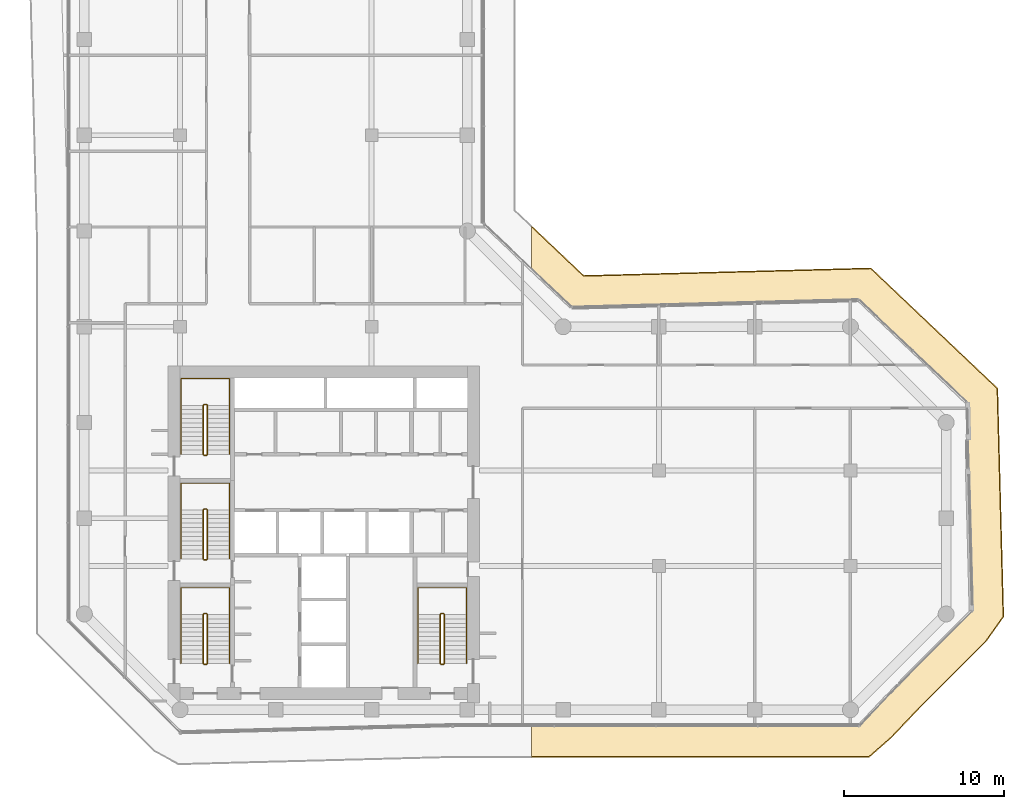
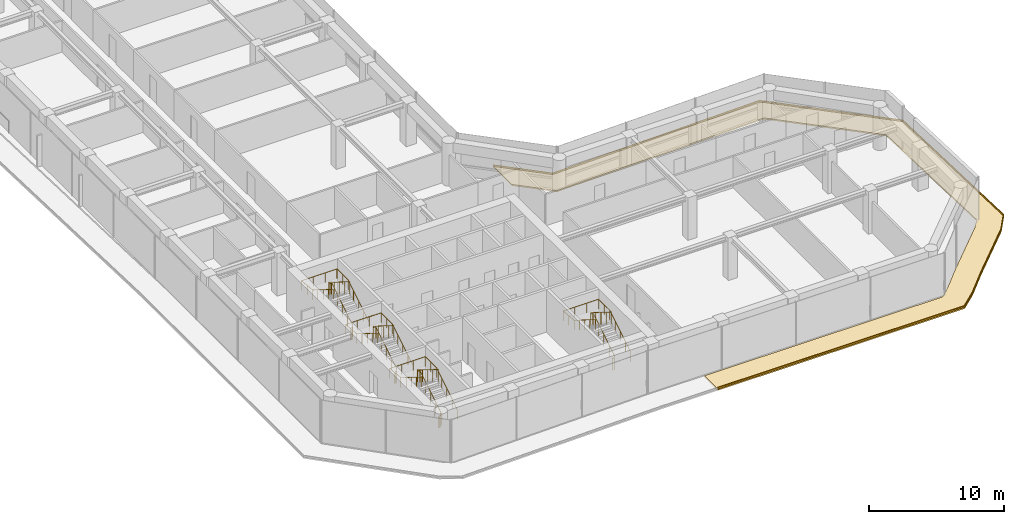
# One storey, part 22 of 23: 8 railings, 2 coverings.
"""IFC4 building model written with IfcOpenShell, lengths in metres."""

import ifcopenshell
import ifcopenshell.guid

model = None  # the IFC model being written
_history = None  # IfcOwnerHistory: only IFC2X3 demands one
_inside = {}  # id of a spatial element -> (the spatial element, [elements in it])
_under = {}  # id of a project, library or spatial element -> (it, [spatial elements below it])
_declared = {}  # id of a project -> (the project, [libraries it declares])
_typed = {}  # id of a type object -> (the type object, [elements of that type])
_made_of = {}  # id of a material, layer set ... -> (it, [elements and type objects made of it])


def new_model(schema):
    """Start an empty IFC model of exactly this schema.

    Asked for "IFC4X3", IfcOpenShell would pick the latest addendum, in which some entities
    have other attributes; the version numbers below select the first issue.
    IFC2X3 requires an IfcOwnerHistory on every rooted entity: one is made here for all.
    """
    global model, _history
    if schema == "IFC4X3":
        model = ifcopenshell.file(schema_version=(4, 3, 0, 0))
    else:
        model = ifcopenshell.file(schema=schema)
    _inside.clear()
    _under.clear()
    _declared.clear()
    _typed.clear()
    _made_of.clear()
    _history = None
    if model.schema == "IFC2X3":
        org = make("IfcOrganization", Name="unknown")
        user = make(
            "IfcPersonAndOrganization",
            ThePerson=make("IfcPerson", FamilyName="unknown"),
            TheOrganization=org,
        )
        app = make(
            "IfcApplication",
            ApplicationDeveloper=org,
            Version="unknown",
            ApplicationFullName="unknown",
            ApplicationIdentifier="unknown",
        )
        _history = make(
            "IfcOwnerHistory",
            OwningUser=user,
            OwningApplication=app,
            ChangeAction="ADDED",
            CreationDate=0,
        )
    return model


def make(cls, **values):
    """One entity of the class cls with the attributes given. An attribute that is None is left unset."""
    return model.create_entity(
        cls, **{name: value for name, value in values.items() if value is not None}
    )


def rooted(cls, **values):
    """An entity with a GlobalId (a new one), such as an element, a storey or a relation."""
    return make(cls, GlobalId=ifcopenshell.guid.new(), OwnerHistory=_history, **values)


def si_unit(unit_type, name, prefix=None):
    """IfcSIUnit, for example si_unit("LENGTHUNIT", "METRE", prefix="MILLI")."""
    return make("IfcSIUnit", UnitType=unit_type, Prefix=prefix, Name=name)


def assignment(units):
    """IfcUnitAssignment: the units of a project."""
    return None if units is None else make("IfcUnitAssignment", Units=units)


def point(xyz):
    """IfcCartesianPoint."""
    return None if xyz is None else make("IfcCartesianPoint", Coordinates=xyz)


def direction(xyz):
    """IfcDirection."""
    return None if xyz is None else make("IfcDirection", DirectionRatios=xyz)


def frame(location, z_axis=None, x_axis=None):
    """IfcAxis2Placement3D, a coordinate frame: its origin and axes. An axis left out is left unset."""
    return make(
        "IfcAxis2Placement3D",
        Location=point(location),
        Axis=direction(z_axis),
        RefDirection=direction(x_axis),
    )


def frame_2d(location, x_axis=None):
    """IfcAxis2Placement2D, a coordinate frame in the plane: its origin and x axis."""
    return make(
        "IfcAxis2Placement2D", Location=point(location), RefDirection=direction(x_axis)
    )


def origin():
    """The frame at (0, 0, 0) with its axes left unset."""
    return frame((0.0, 0.0, 0.0))


def origin_2d():
    """The frame at (0, 0) in the plane with its x axis left unset."""
    return frame_2d((0.0, 0.0))


def place(relative_to, where):
    """IfcLocalPlacement: puts the frame where relative to a parent placement (None: the world)."""
    return make(
        "IfcLocalPlacement", PlacementRelTo=relative_to, RelativePlacement=where
    )


def context(
    kind, dimensions, precision=None, world=None, true_north=None, identifier=None
):
    """IfcGeometricRepresentationContext, for example the 3D "Model" context."""
    return make(
        "IfcGeometricRepresentationContext",
        ContextIdentifier=identifier,
        ContextType=kind,
        CoordinateSpaceDimension=dimensions,
        Precision=precision,
        WorldCoordinateSystem=world,
        TrueNorth=true_north,
    )


def subcontext(parent, identifier, kind, view, scale=None):
    """IfcGeometricRepresentationSubContext, for example "Body" below "Model"."""
    return make(
        "IfcGeometricRepresentationSubContext",
        ContextIdentifier=identifier,
        ContextType=kind,
        ParentContext=parent,
        TargetScale=scale,
        TargetView=view,
    )


def project(units=None, contexts=None):
    """IfcProject with its units and contexts."""
    return rooted(
        "IfcProject",
        Name="project",
        RepresentationContexts=contexts,
        UnitsInContext=assignment(units),
    )


def spatial(cls, under=None, at=None, **own):
    """A site, building, storey or space (cls), placed at a placement, below another one or the project."""
    s = rooted(cls, ObjectPlacement=at, **own)
    if under is not None:
        _under.setdefault(under.id(), (under, []))[1].append(s)
    return s


def polyline(points):
    """IfcPolyline through the points."""
    return make("IfcPolyline", Points=[point(p) for p in points])


def profile(cls, at=None, kind="AREA", **sizes):
    """A parametric profile (cls). Its sizes go by their IFC names, for example OverallWidth=200.0."""
    return make(cls, ProfileType=kind, Position=at, **sizes)


def circle(**sizes):
    """IfcCircleProfileDef."""
    return profile("IfcCircleProfileDef", **sizes)


def outline(outer, holes=None, kind="AREA"):
    """IfcArbitraryClosedProfileDef: a profile drawn as a closed curve; with holes, ...WithVoids."""
    if holes is None:
        return make("IfcArbitraryClosedProfileDef", ProfileType=kind, OuterCurve=outer)
    return make(
        "IfcArbitraryProfileDefWithVoids",
        ProfileType=kind,
        OuterCurve=outer,
        InnerCurves=holes,
    )


def extrude(swept, where, along, depth):
    """IfcExtrudedAreaSolid: the profile swept, set in the frame where, extruded along a direction by depth."""
    return make(
        "IfcExtrudedAreaSolid",
        SweptArea=swept,
        Position=where,
        ExtrudedDirection=direction(along),
        Depth=depth,
    )


def shape(context_of_items, identifier, shape_type, items):
    """IfcShapeRepresentation: the items that make up one representation, for example the "Body"."""
    return make(
        "IfcShapeRepresentation",
        ContextOfItems=context_of_items,
        RepresentationIdentifier=identifier,
        RepresentationType=shape_type,
        Items=items,
    )


def material(Name=None, Category=None):
    """IfcMaterial."""
    return make("IfcMaterial", Name=Name, Category=Category)


def layer(
    of_material, thickness, ventilated=None, Name=None, Category=None, Priority=None
):
    """IfcMaterialLayer: one layer of a wall or slab, of a material (None: an air gap)."""
    return make(
        "IfcMaterialLayer",
        Material=of_material,
        LayerThickness=thickness,
        IsVentilated=ventilated,
        Name=Name,
        Category=Category,
        Priority=Priority,
    )


def layer_set(layers, Name=None):
    """IfcMaterialLayerSet."""
    return make("IfcMaterialLayerSet", MaterialLayers=layers, LayerSetName=Name)


def made_of(thing, what):
    """Note that an element or type object is made of a material, layer set ...; save() writes the relation."""
    if what is not None:
        _made_of.setdefault(what.id(), (what, []))[1].append(thing)
    return thing


def type_object(cls, material=None, **own):
    """A type object (cls), such as IfcWallType, which elements share."""
    return made_of(rooted(cls, **own), material)


def element(
    cls,
    number,
    at=None,
    inside=None,
    cuts=None,
    type_object=None,
    material=None,
    context=None,
    identifier="Body",
    shape_type=None,
    held_by="IfcProductDefinitionShape",
    body=None,
    shapes=None,
    **own,
):
    """One element of the class cls, such as IfcWall. Its Tag is "e" and its number.

    at: its placement. inside: the storey or other place that contains it. cuts: it is an
    opening in that element (IfcRelVoidsElement). A single representation is given by context,
    identifier, shape_type and body (its items); several are given by shapes. held_by: the class
    of the entity that holds the representations. save() writes the other relations.
    """
    e = rooted(cls, Tag="e%d" % number, ObjectPlacement=at, **own)
    if body is not None:
        shapes = [shape(context, identifier, shape_type, body)]
    if shapes is not None:
        e.Representation = make(held_by, Representations=shapes)
    if inside is not None:
        _inside.setdefault(inside.id(), (inside, []))[1].append(e)
    if cuts is not None:
        rooted(
            "IfcRelVoidsElement", RelatingBuildingElement=cuts, RelatedOpeningElement=e
        )
    if type_object is not None:
        _typed.setdefault(type_object.id(), (type_object, []))[1].append(e)
    return made_of(e, material)


def aggregate(whole, parts):
    """IfcRelAggregates: a whole, such as a stair, and the parts it consists of."""
    return rooted("IfcRelAggregates", RelatingObject=whole, RelatedObjects=parts)


def save(model, path):
    """Write the relations noted so far, then the file.

    IfcRelAggregates (storeys below a building ...), IfcRelContainedInSpatialStructure (elements
    in a storey), IfcRelDefinesByType, IfcRelAssociatesMaterial and IfcRelDeclares: one each for
    every whole, place, type object, material and project.
    """
    for whole, parts in _under.values():
        aggregate(whole, parts)
    for where, things in _inside.values():
        rooted(
            "IfcRelContainedInSpatialStructure",
            RelatedElements=things,
            RelatingStructure=where,
        )
    for kind, things in _typed.values():
        rooted("IfcRelDefinesByType", RelatedObjects=things, RelatingType=kind)
    for what, things in _made_of.values():
        rooted("IfcRelAssociatesMaterial", RelatedObjects=things, RelatingMaterial=what)
    for by, libraries in _declared.values():
        rooted("IfcRelDeclares", RelatingContext=by, RelatedDefinitions=libraries)
    model.write(path)


model = new_model("IFC4")

# Units and contexts
model_context = context("Model", 3, precision=1e-05, world=origin(), true_north=direction((0.0, 1.0)))
body_context = subcontext(model_context, "Body", "Model", "MODEL_VIEW")
ifc_project = project(units=[si_unit("LENGTHUNIT", "METRE"), si_unit("AREAUNIT", "SQUARE_METRE"), si_unit("VOLUMEUNIT", "CUBIC_METRE"), si_unit("PLANEANGLEUNIT", "RADIAN"), si_unit("MASSUNIT", "GRAM", prefix="KILO")], contexts=[model_context])

# Site, building, storey
site_placement = place(None, origin())
site = spatial("IfcSite", under=ifc_project, at=site_placement, CompositionType="ELEMENT")
building_placement = place(site_placement, origin())
building = spatial("IfcBuilding", under=site, at=building_placement, Name="Welwitschia Terrace Campus", CompositionType="ELEMENT")
storey_placement = place(building_placement, frame((0.0, 0.0, 104.60009765625)))
storey = spatial("IfcBuildingStorey", under=building, at=storey_placement, Name="L23", CompositionType="ELEMENT", Elevation=104.60009765625)

# Railings
ifc_material_1 = material(Name="Steel S355", Category="steel")
railing_type_1 = type_object("IfcRailingType", Name="Stair guard 1100", PredefinedType="GUARDRAIL", material=ifc_material_1)
railing_1_placement = place(storey_placement, frame((7.5, 6.85009765625, 0.0)))
element("IfcRailing", 1, at=railing_1_placement, inside=storey, type_object=railing_type_1, Name="L23 S1 stair guard", PredefinedType="GUARDRAIL", context=body_context, shape_type="SweptSolid", body=[
    extrude(circle(Radius=0.02392578125, at=origin_2d()), frame((0.0, 0.0, 1.076171875), z_axis=(1.0, 0.0, 0.0), x_axis=(0.0, 1.0, 0.0)), (0.0, 0.0, 1.0), 0.14990234375),
    extrude(circle(Radius=0.02392578125, at=origin_2d()), frame((0.14990234375, 0.0, 1.076171875), z_axis=(0.265474339444, 0.264179342666, 0.927217692888), x_axis=(-0.705375805398, 0.708833529934, 0.0)), (0.0, 0.0, 1.0), 0.1884765625),
    extrude(circle(Radius=0.02392578125, at=origin_2d()), frame((0.199951171875, 0.0498046875, 1.2509765625), z_axis=(0.0, 0.847998304005, 0.529998940003), x_axis=(-1.0, 0.0, 0.0)), (0.0, 0.0, 1.0), 3.632080078125),
    extrude(circle(Radius=0.02392578125, at=origin_2d()), frame((0.199951171875, 3.1298828125, 3.17578125), z_axis=(-0.707106781187, 0.707106781187, 0.0), x_axis=(-0.707106781187, -0.707106781187, 0.0)), (0.0, 0.0, 1.0), 0.07080078125),
    extrude(circle(Radius=0.02392578125, at=origin_2d()), frame((0.14990234375, 3.179931640625, 3.17578125), z_axis=(-1.0, 0.0, 0.0), x_axis=(0.0, -1.0, 0.0)), (0.0, 0.0, 1.0), 0.14990234375),
    extrude(circle(Radius=0.02392578125, at=origin_2d()), frame((0.0, 3.179931640625, 3.17578125), z_axis=(-0.265065253269, -0.265065253269, 0.927081885822), x_axis=(0.707106781187, -0.707106781187, 0.0)), (0.0, 0.0, 1.0), 0.188720703125),
    extrude(circle(Radius=0.02392578125, at=origin_2d()), frame((-0.050048828125, 3.1298828125, 3.35107421875), z_axis=(0.0, -0.847998304005, 0.529998940003), x_axis=(1.0, 0.0, 0.0)), (0.0, 0.0, 1.0), 3.632080078125),
    extrude(circle(Radius=0.02099609375, at=origin_2d()), origin(), (0.0, 0.0, 1.0), 1.052001953125),
    extrude(circle(Radius=0.02099609375, at=origin_2d()), frame((0.14990234375, 0.0, 0.0)), (0.0, 0.0, 1.0), 1.052001953125),
    extrude(circle(Radius=0.02099609375, at=origin_2d()), frame((0.199951171875, 0.0498046875, 0.1748046875)), (0.0, 0.0, 1.0), 1.052001953125),
    extrude(circle(Radius=0.02099609375, at=origin_2d()), frame((0.199951171875, 0.81982421875, 0.656005859375)), (0.0, 0.0, 1.0), 1.052001953125),
    extrude(circle(Radius=0.02099609375, at=origin_2d()), frame((0.199951171875, 1.58984375, 1.13720703125)), (0.0, 0.0, 1.0), 1.052001953125),
    extrude(circle(Radius=0.02099609375, at=origin_2d()), frame((0.199951171875, 2.35986328125, 1.61865234375)), (0.0, 0.0, 1.0), 1.052001953125),
    extrude(circle(Radius=0.02099609375, at=origin_2d()), frame((0.199951171875, 3.1298828125, 2.099853515625)), (0.0, 0.0, 1.0), 1.052001953125),
    extrude(circle(Radius=0.02099609375, at=origin_2d()), frame((0.14990234375, 3.179931640625, 2.099853515625)), (0.0, 0.0, 1.0), 1.052001953125),
    extrude(circle(Radius=0.02099609375, at=origin_2d()), frame((0.0, 3.179931640625, 2.099853515625)), (0.0, 0.0, 1.0), 1.052001953125),
    extrude(circle(Radius=0.02099609375, at=origin_2d()), frame((-0.050048828125, 3.1298828125, 2.27490234375)), (0.0, 0.0, 1.0), 1.052001953125),
    extrude(circle(Radius=0.02099609375, at=origin_2d()), frame((-0.050048828125, 2.35986328125, 2.756103515625)), (0.0, 0.0, 1.0), 1.052001953125),
    extrude(circle(Radius=0.02099609375, at=origin_2d()), frame((-0.050048828125, 1.58984375, 3.2373046875)), (0.0, 0.0, 1.0), 1.052001953125),
    extrude(circle(Radius=0.02099609375, at=origin_2d()), frame((-0.050048828125, 0.81982421875, 3.71875)), (0.0, 0.0, 1.0), 1.052001953125),
    extrude(circle(Radius=0.02099609375, at=origin_2d()), frame((-0.050048828125, 0.0498046875, 4.199951171875)), (0.0, 0.0, 1.0), 1.052001953125),
])
railing_2_placement = place(storey_placement, frame((7.5, 13.39990234375, 0.0)))
element("IfcRailing", 2, at=railing_2_placement, inside=storey, type_object=railing_type_1, Name="L23 S3 stair guard", PredefinedType="GUARDRAIL", context=body_context, shape_type="SweptSolid", body=[
    extrude(circle(Radius=0.02392578125, at=origin_2d()), frame((0.0, 0.0, 1.076171875), z_axis=(1.0, 0.0, 0.0), x_axis=(0.0, 1.0, 0.0)), (0.0, 0.0, 1.0), 0.14990234375),
    extrude(circle(Radius=0.02392578125, at=origin_2d()), frame((0.14990234375, 0.0, 1.076171875), z_axis=(0.265383341853, 0.265383341853, 0.926899867156), x_axis=(-0.707106781187, 0.707106781187, 0.0)), (0.0, 0.0, 1.0), 0.1884765625),
    extrude(circle(Radius=0.02392578125, at=origin_2d()), frame((0.199951171875, 0.050048828125, 1.2509765625), z_axis=(0.0, 0.847998304005, 0.529998940003), x_axis=(-1.0, 0.0, 0.0)), (0.0, 0.0, 1.0), 3.632080078125),
    extrude(circle(Radius=0.02392578125, at=origin_2d()), frame((0.199951171875, 3.130126953125, 3.17578125), z_axis=(-0.707106781187, 0.707106781187, 0.0), x_axis=(-0.707106781187, -0.707106781187, 0.0)), (0.0, 0.0, 1.0), 0.07080078125),
    extrude(circle(Radius=0.02392578125, at=origin_2d()), frame((0.14990234375, 3.18017578125, 3.17578125), z_axis=(-1.0, 0.0, 0.0), x_axis=(0.0, -1.0, 0.0)), (0.0, 0.0, 1.0), 0.14990234375),
    extrude(circle(Radius=0.02392578125, at=origin_2d()), frame((0.0, 3.18017578125, 3.17578125), z_axis=(-0.265065253269, -0.265065253269, 0.927081885822), x_axis=(0.707106781187, -0.707106781187, 0.0)), (0.0, 0.0, 1.0), 0.188720703125),
    extrude(circle(Radius=0.02392578125, at=origin_2d()), frame((-0.050048828125, 3.130126953125, 3.35107421875), z_axis=(0.0, -0.847998304005, 0.529998940003), x_axis=(1.0, 0.0, 0.0)), (0.0, 0.0, 1.0), 3.632080078125),
    extrude(circle(Radius=0.02099609375, at=origin_2d()), origin(), (0.0, 0.0, 1.0), 1.052001953125),
    extrude(circle(Radius=0.02099609375, at=origin_2d()), frame((0.14990234375, 0.0, 0.0)), (0.0, 0.0, 1.0), 1.052001953125),
    extrude(circle(Radius=0.02099609375, at=origin_2d()), frame((0.199951171875, 0.050048828125, 0.1748046875)), (0.0, 0.0, 1.0), 1.052001953125),
    extrude(circle(Radius=0.02099609375, at=origin_2d()), frame((0.199951171875, 0.820068359375, 0.656005859375)), (0.0, 0.0, 1.0), 1.052001953125),
    extrude(circle(Radius=0.02099609375, at=origin_2d()), frame((0.199951171875, 1.590087890625, 1.13720703125)), (0.0, 0.0, 1.0), 1.052001953125),
    extrude(circle(Radius=0.02099609375, at=origin_2d()), frame((0.199951171875, 2.360107421875, 1.61865234375)), (0.0, 0.0, 1.0), 1.052001953125),
    extrude(circle(Radius=0.02099609375, at=origin_2d()), frame((0.199951171875, 3.130126953125, 2.099853515625)), (0.0, 0.0, 1.0), 1.052001953125),
    extrude(circle(Radius=0.02099609375, at=origin_2d()), frame((0.14990234375, 3.18017578125, 2.099853515625)), (0.0, 0.0, 1.0), 1.052001953125),
    extrude(circle(Radius=0.02099609375, at=origin_2d()), frame((0.0, 3.18017578125, 2.099853515625)), (0.0, 0.0, 1.0), 1.052001953125),
    extrude(circle(Radius=0.02099609375, at=origin_2d()), frame((-0.050048828125, 3.130126953125, 2.27490234375)), (0.0, 0.0, 1.0), 1.052001953125),
    extrude(circle(Radius=0.02099609375, at=origin_2d()), frame((-0.050048828125, 2.360107421875, 2.756103515625)), (0.0, 0.0, 1.0), 1.052001953125),
    extrude(circle(Radius=0.02099609375, at=origin_2d()), frame((-0.050048828125, 1.590087890625, 3.2373046875)), (0.0, 0.0, 1.0), 1.052001953125),
    extrude(circle(Radius=0.02099609375, at=origin_2d()), frame((-0.050048828125, 0.820068359375, 3.71875)), (0.0, 0.0, 1.0), 1.052001953125),
    extrude(circle(Radius=0.02099609375, at=origin_2d()), frame((-0.050048828125, 0.050048828125, 4.199951171875)), (0.0, 0.0, 1.0), 1.052001953125),
])
railing_3_placement = place(storey_placement, frame((7.5, 19.949951171875, 0.0)))
element("IfcRailing", 3, at=railing_3_placement, inside=storey, type_object=railing_type_1, Name="L23 S4 stair guard", PredefinedType="GUARDRAIL", context=body_context, shape_type="SweptSolid", body=[
    extrude(circle(Radius=0.02392578125, at=origin_2d()), frame((0.0, 0.0, 1.076171875), z_axis=(1.0, 0.0, 0.0), x_axis=(0.0, 1.0, 0.0)), (0.0, 0.0, 1.0), 0.14990234375),
    extrude(circle(Radius=0.02392578125, at=origin_2d()), frame((0.14990234375, 0.0, 1.076171875), z_axis=(0.265383341853, 0.265383341853, 0.926899867156), x_axis=(-0.707106781187, 0.707106781187, 0.0)), (0.0, 0.0, 1.0), 0.1884765625),
    extrude(circle(Radius=0.02392578125, at=origin_2d()), frame((0.199951171875, 0.050048828125, 1.2509765625), z_axis=(0.0, 0.847998304005, 0.529998940003), x_axis=(-1.0, 0.0, 0.0)), (0.0, 0.0, 1.0), 3.632080078125),
    extrude(circle(Radius=0.02392578125, at=origin_2d()), frame((0.199951171875, 3.130126953125, 3.17578125), z_axis=(-0.708833529934, 0.705375805398, 0.0), x_axis=(-0.705375805398, -0.708833529934, 0.0)), (0.0, 0.0, 1.0), 0.070556640625),
    extrude(circle(Radius=0.02392578125, at=origin_2d()), frame((0.14990234375, 3.179931640625, 3.17578125), z_axis=(-1.0, 0.0, 0.0), x_axis=(0.0, -1.0, 0.0)), (0.0, 0.0, 1.0), 0.14990234375),
    extrude(circle(Radius=0.02392578125, at=origin_2d()), frame((0.0, 3.179931640625, 3.17578125), z_axis=(-0.265155923931, -0.263862480399, 0.927399011991), x_axis=(0.705375805398, -0.708833529934, 0.0)), (0.0, 0.0, 1.0), 0.188720703125),
    extrude(circle(Radius=0.02392578125, at=origin_2d()), frame((-0.050048828125, 3.130126953125, 3.35107421875), z_axis=(0.0, -0.847998304005, 0.529998940003), x_axis=(1.0, 0.0, 0.0)), (0.0, 0.0, 1.0), 3.632080078125),
    extrude(circle(Radius=0.02099609375, at=origin_2d()), origin(), (0.0, 0.0, 1.0), 1.052001953125),
    extrude(circle(Radius=0.02099609375, at=origin_2d()), frame((0.14990234375, 0.0, 0.0)), (0.0, 0.0, 1.0), 1.052001953125),
    extrude(circle(Radius=0.02099609375, at=origin_2d()), frame((0.199951171875, 0.050048828125, 0.1748046875)), (0.0, 0.0, 1.0), 1.052001953125),
    extrude(circle(Radius=0.02099609375, at=origin_2d()), frame((0.199951171875, 0.820068359375, 0.656005859375)), (0.0, 0.0, 1.0), 1.052001953125),
    extrude(circle(Radius=0.02099609375, at=origin_2d()), frame((0.199951171875, 1.590087890625, 1.13720703125)), (0.0, 0.0, 1.0), 1.052001953125),
    extrude(circle(Radius=0.02099609375, at=origin_2d()), frame((0.199951171875, 2.360107421875, 1.61865234375)), (0.0, 0.0, 1.0), 1.052001953125),
    extrude(circle(Radius=0.02099609375, at=origin_2d()), frame((0.199951171875, 3.130126953125, 2.099853515625)), (0.0, 0.0, 1.0), 1.052001953125),
    extrude(circle(Radius=0.02099609375, at=origin_2d()), frame((0.14990234375, 3.179931640625, 2.099853515625)), (0.0, 0.0, 1.0), 1.052001953125),
    extrude(circle(Radius=0.02099609375, at=origin_2d()), frame((0.0, 3.179931640625, 2.099853515625)), (0.0, 0.0, 1.0), 1.052001953125),
    extrude(circle(Radius=0.02099609375, at=origin_2d()), frame((-0.050048828125, 3.130126953125, 2.27490234375)), (0.0, 0.0, 1.0), 1.052001953125),
    extrude(circle(Radius=0.02099609375, at=origin_2d()), frame((-0.050048828125, 2.360107421875, 2.756103515625)), (0.0, 0.0, 1.0), 1.052001953125),
    extrude(circle(Radius=0.02099609375, at=origin_2d()), frame((-0.050048828125, 1.590087890625, 3.2373046875)), (0.0, 0.0, 1.0), 1.052001953125),
    extrude(circle(Radius=0.02099609375, at=origin_2d()), frame((-0.050048828125, 0.820068359375, 3.71875)), (0.0, 0.0, 1.0), 1.052001953125),
    extrude(circle(Radius=0.02099609375, at=origin_2d()), frame((-0.050048828125, 0.050048828125, 4.199951171875)), (0.0, 0.0, 1.0), 1.052001953125),
])
railing_4_placement = place(storey_placement, frame((22.35009765625, 6.85009765625, 0.0)))
element("IfcRailing", 4, at=railing_4_placement, inside=storey, type_object=railing_type_1, Name="L23 S2 stair guard", PredefinedType="GUARDRAIL", context=body_context, shape_type="SweptSolid", body=[
    extrude(circle(Radius=0.02392578125, at=origin_2d()), frame((0.0, 0.0, 1.076171875), z_axis=(1.0, 0.0, 0.0), x_axis=(0.0, 1.0, 0.0)), (0.0, 0.0, 1.0), 0.14990234375),
    extrude(circle(Radius=0.02392578125, at=origin_2d()), frame((0.14990234375, 0.0, 1.076171875), z_axis=(0.265474339444, 0.264179342666, 0.927217692888), x_axis=(-0.705375805398, 0.708833529934, 0.0)), (0.0, 0.0, 1.0), 0.1884765625),
    extrude(circle(Radius=0.02392578125, at=origin_2d()), frame((0.199951171875, 0.0498046875, 1.2509765625), z_axis=(0.0, 0.847998304005, 0.529998940003), x_axis=(-1.0, 0.0, 0.0)), (0.0, 0.0, 1.0), 3.632080078125),
    extrude(circle(Radius=0.02392578125, at=origin_2d()), frame((0.199951171875, 3.1298828125, 3.17578125), z_axis=(-0.707106781187, 0.707106781187, 0.0), x_axis=(-0.707106781187, -0.707106781187, 0.0)), (0.0, 0.0, 1.0), 0.07080078125),
    extrude(circle(Radius=0.02392578125, at=origin_2d()), frame((0.14990234375, 3.179931640625, 3.17578125), z_axis=(-1.0, 0.0, 0.0), x_axis=(0.0, -1.0, 0.0)), (0.0, 0.0, 1.0), 0.14990234375),
    extrude(circle(Radius=0.02392578125, at=origin_2d()), frame((0.0, 3.179931640625, 3.17578125), z_axis=(-0.265065253269, -0.265065253269, 0.927081885822), x_axis=(0.707106781187, -0.707106781187, 0.0)), (0.0, 0.0, 1.0), 0.188720703125),
    extrude(circle(Radius=0.02392578125, at=origin_2d()), frame((-0.050048828125, 3.1298828125, 3.35107421875), z_axis=(0.0, -0.847998304005, 0.529998940003), x_axis=(1.0, 0.0, 0.0)), (0.0, 0.0, 1.0), 3.632080078125),
    extrude(circle(Radius=0.02099609375, at=origin_2d()), origin(), (0.0, 0.0, 1.0), 1.052001953125),
    extrude(circle(Radius=0.02099609375, at=origin_2d()), frame((0.14990234375, 0.0, 0.0)), (0.0, 0.0, 1.0), 1.052001953125),
    extrude(circle(Radius=0.02099609375, at=origin_2d()), frame((0.199951171875, 0.0498046875, 0.1748046875)), (0.0, 0.0, 1.0), 1.052001953125),
    extrude(circle(Radius=0.02099609375, at=origin_2d()), frame((0.199951171875, 0.81982421875, 0.656005859375)), (0.0, 0.0, 1.0), 1.052001953125),
    extrude(circle(Radius=0.02099609375, at=origin_2d()), frame((0.199951171875, 1.58984375, 1.13720703125)), (0.0, 0.0, 1.0), 1.052001953125),
    extrude(circle(Radius=0.02099609375, at=origin_2d()), frame((0.199951171875, 2.35986328125, 1.61865234375)), (0.0, 0.0, 1.0), 1.052001953125),
    extrude(circle(Radius=0.02099609375, at=origin_2d()), frame((0.199951171875, 3.1298828125, 2.099853515625)), (0.0, 0.0, 1.0), 1.052001953125),
    extrude(circle(Radius=0.02099609375, at=origin_2d()), frame((0.14990234375, 3.179931640625, 2.099853515625)), (0.0, 0.0, 1.0), 1.052001953125),
    extrude(circle(Radius=0.02099609375, at=origin_2d()), frame((0.0, 3.179931640625, 2.099853515625)), (0.0, 0.0, 1.0), 1.052001953125),
    extrude(circle(Radius=0.02099609375, at=origin_2d()), frame((-0.050048828125, 3.1298828125, 2.27490234375)), (0.0, 0.0, 1.0), 1.052001953125),
    extrude(circle(Radius=0.02099609375, at=origin_2d()), frame((-0.050048828125, 2.35986328125, 2.756103515625)), (0.0, 0.0, 1.0), 1.052001953125),
    extrude(circle(Radius=0.02099609375, at=origin_2d()), frame((-0.050048828125, 1.58984375, 3.2373046875)), (0.0, 0.0, 1.0), 1.052001953125),
    extrude(circle(Radius=0.02099609375, at=origin_2d()), frame((-0.050048828125, 0.81982421875, 3.71875)), (0.0, 0.0, 1.0), 1.052001953125),
    extrude(circle(Radius=0.02099609375, at=origin_2d()), frame((-0.050048828125, 0.0498046875, 4.199951171875)), (0.0, 0.0, 1.0), 1.052001953125),
])
ifc_material_2 = material(Name="Steel S355", Category="steel")
railing_type_2 = type_object("IfcRailingType", Name="Stair handrail 900", PredefinedType="HANDRAIL", material=ifc_material_2)
railing_5_placement = place(storey_placement, frame((9.10009765625, 6.89990234375, 0.1748046875)))
element("IfcRailing", 5, at=railing_5_placement, inside=storey, type_object=railing_type_2, Name="L23 S1 stair handrail", PredefinedType="HANDRAIL", context=body_context, shape_type="SweptSolid", body=[
    extrude(circle(Radius=0.02392578125, at=origin_2d()), frame((0.0, 0.0, 0.8759765625), z_axis=(0.0, 0.847998304005, 0.529998940003), x_axis=(-1.0, 0.0, 0.0)), (0.0, 0.0, 1.0), 3.632080078125),
    extrude(circle(Radius=0.02392578125, at=origin_2d()), frame((0.0, 3.080078125, 2.80078125), z_axis=(0.0, 1.0, 0.0), x_axis=(-1.0, 0.0, 0.0)), (0.0, 0.0, 1.0), 1.669921875),
    extrude(circle(Radius=0.02392578125, at=origin_2d()), frame((0.0, 4.75, 2.80078125), z_axis=(-1.0, 0.0, 0.0), x_axis=(0.0, -1.0, 0.0)), (0.0, 0.0, 1.0), 3.050048828125),
    extrude(circle(Radius=0.02392578125, at=origin_2d()), frame((-3.050048828125, 4.75, 2.80078125), z_axis=(0.0, -0.99455077262, 0.104253348533), x_axis=(1.0, 0.0, 0.0)), (0.0, 0.0, 1.0), 1.678955078125),
    extrude(circle(Radius=0.02392578125, at=origin_2d()), frame((-3.050048828125, 3.080078125, 2.97607421875), z_axis=(0.0, -0.847998304005, 0.529998940003), x_axis=(1.0, 0.0, 0.0)), (0.0, 0.0, 1.0), 3.632080078125),
    extrude(circle(Radius=0.02099609375, at=origin_2d()), origin(), (0.0, 0.0, 1.0), 0.851806640625),
    extrude(circle(Radius=0.02099609375, at=origin_2d()), frame((0.0, 0.77001953125, 0.481201171875)), (0.0, 0.0, 1.0), 0.851806640625),
    extrude(circle(Radius=0.02099609375, at=origin_2d()), frame((0.0, 1.5400390625, 0.96240234375)), (0.0, 0.0, 1.0), 0.851806640625),
    extrude(circle(Radius=0.02099609375, at=origin_2d()), frame((0.0, 2.31005859375, 1.44384765625)), (0.0, 0.0, 1.0), 0.851806640625),
    extrude(circle(Radius=0.02099609375, at=origin_2d()), frame((0.0, 3.080078125, 1.925048828125)), (0.0, 0.0, 1.0), 0.851806640625),
    extrude(circle(Radius=0.02099609375, at=origin_2d()), frame((0.0, 3.9150390625, 1.925048828125)), (0.0, 0.0, 1.0), 0.851806640625),
    extrude(circle(Radius=0.02099609375, at=origin_2d()), frame((0.0, 4.75, 1.925048828125)), (0.0, 0.0, 1.0), 0.851806640625),
    extrude(circle(Radius=0.02099609375, at=origin_2d()), frame((-1.0166015625, 4.75, 1.925048828125)), (0.0, 0.0, 1.0), 0.851806640625),
    extrude(circle(Radius=0.02099609375, at=origin_2d()), frame((-2.033447265625, 4.75, 1.925048828125)), (0.0, 0.0, 1.0), 0.851806640625),
    extrude(circle(Radius=0.02099609375, at=origin_2d()), frame((-3.050048828125, 4.75, 1.925048828125)), (0.0, 0.0, 1.0), 0.851806640625),
    extrude(circle(Radius=0.02099609375, at=origin_2d()), frame((-3.050048828125, 3.9150390625, 2.0126953125)), (0.0, 0.0, 1.0), 0.851806640625),
    extrude(circle(Radius=0.02099609375, at=origin_2d()), frame((-3.050048828125, 3.080078125, 2.10009765625)), (0.0, 0.0, 1.0), 0.851806640625),
    extrude(circle(Radius=0.02099609375, at=origin_2d()), frame((-3.050048828125, 2.31005859375, 2.581298828125)), (0.0, 0.0, 1.0), 0.851806640625),
    extrude(circle(Radius=0.02099609375, at=origin_2d()), frame((-3.050048828125, 1.5400390625, 3.0625)), (0.0, 0.0, 1.0), 0.851806640625),
    extrude(circle(Radius=0.02099609375, at=origin_2d()), frame((-3.050048828125, 0.77001953125, 3.5439453125)), (0.0, 0.0, 1.0), 0.851806640625),
    extrude(circle(Radius=0.02099609375, at=origin_2d()), frame((-3.050048828125, 0.0, 4.025146484375)), (0.0, 0.0, 1.0), 0.851806640625),
])
railing_6_placement = place(storey_placement, frame((9.10009765625, 13.449951171875, 0.1748046875)))
element("IfcRailing", 6, at=railing_6_placement, inside=storey, type_object=railing_type_2, Name="L23 S3 stair handrail", PredefinedType="HANDRAIL", context=body_context, shape_type="SweptSolid", body=[
    extrude(circle(Radius=0.02392578125, at=origin_2d()), frame((0.0, 0.0, 0.8759765625), z_axis=(0.0, 0.847998304005, 0.529998940003), x_axis=(-1.0, 0.0, 0.0)), (0.0, 0.0, 1.0), 3.632080078125),
    extrude(circle(Radius=0.02392578125, at=origin_2d()), frame((0.0, 3.080078125, 2.80078125), z_axis=(0.0, 1.0, 0.0), x_axis=(-1.0, 0.0, 0.0)), (0.0, 0.0, 1.0), 1.669921875),
    extrude(circle(Radius=0.02392578125, at=origin_2d()), frame((0.0, 4.75, 2.80078125), z_axis=(-1.0, 0.0, 0.0), x_axis=(0.0, -1.0, 0.0)), (0.0, 0.0, 1.0), 3.050048828125),
    extrude(circle(Radius=0.02392578125, at=origin_2d()), frame((-3.050048828125, 4.75, 2.80078125), z_axis=(0.0, -0.99455077262, 0.104253348533), x_axis=(1.0, 0.0, 0.0)), (0.0, 0.0, 1.0), 1.678955078125),
    extrude(circle(Radius=0.02392578125, at=origin_2d()), frame((-3.050048828125, 3.080078125, 2.97607421875), z_axis=(0.0, -0.847998304005, 0.529998940003), x_axis=(1.0, 0.0, 0.0)), (0.0, 0.0, 1.0), 3.632080078125),
    extrude(circle(Radius=0.02099609375, at=origin_2d()), origin(), (0.0, 0.0, 1.0), 0.851806640625),
    extrude(circle(Radius=0.02099609375, at=origin_2d()), frame((0.0, 0.77001953125, 0.481201171875)), (0.0, 0.0, 1.0), 0.851806640625),
    extrude(circle(Radius=0.02099609375, at=origin_2d()), frame((0.0, 1.5400390625, 0.96240234375)), (0.0, 0.0, 1.0), 0.851806640625),
    extrude(circle(Radius=0.02099609375, at=origin_2d()), frame((0.0, 2.31005859375, 1.44384765625)), (0.0, 0.0, 1.0), 0.851806640625),
    extrude(circle(Radius=0.02099609375, at=origin_2d()), frame((0.0, 3.080078125, 1.925048828125)), (0.0, 0.0, 1.0), 0.851806640625),
    extrude(circle(Radius=0.02099609375, at=origin_2d()), frame((0.0, 3.9150390625, 1.925048828125)), (0.0, 0.0, 1.0), 0.851806640625),
    extrude(circle(Radius=0.02099609375, at=origin_2d()), frame((0.0, 4.75, 1.925048828125)), (0.0, 0.0, 1.0), 0.851806640625),
    extrude(circle(Radius=0.02099609375, at=origin_2d()), frame((-1.0166015625, 4.75, 1.925048828125)), (0.0, 0.0, 1.0), 0.851806640625),
    extrude(circle(Radius=0.02099609375, at=origin_2d()), frame((-2.033447265625, 4.75, 1.925048828125)), (0.0, 0.0, 1.0), 0.851806640625),
    extrude(circle(Radius=0.02099609375, at=origin_2d()), frame((-3.050048828125, 4.75, 1.925048828125)), (0.0, 0.0, 1.0), 0.851806640625),
    extrude(circle(Radius=0.02099609375, at=origin_2d()), frame((-3.050048828125, 3.9150390625, 2.0126953125)), (0.0, 0.0, 1.0), 0.851806640625),
    extrude(circle(Radius=0.02099609375, at=origin_2d()), frame((-3.050048828125, 3.080078125, 2.10009765625)), (0.0, 0.0, 1.0), 0.851806640625),
    extrude(circle(Radius=0.02099609375, at=origin_2d()), frame((-3.050048828125, 2.31005859375, 2.581298828125)), (0.0, 0.0, 1.0), 0.851806640625),
    extrude(circle(Radius=0.02099609375, at=origin_2d()), frame((-3.050048828125, 1.5400390625, 3.0625)), (0.0, 0.0, 1.0), 0.851806640625),
    extrude(circle(Radius=0.02099609375, at=origin_2d()), frame((-3.050048828125, 0.77001953125, 3.5439453125)), (0.0, 0.0, 1.0), 0.851806640625),
    extrude(circle(Radius=0.02099609375, at=origin_2d()), frame((-3.050048828125, 0.0, 4.025146484375)), (0.0, 0.0, 1.0), 0.851806640625),
])
railing_7_placement = place(storey_placement, frame((9.10009765625, 20.0, 0.1748046875)))
element("IfcRailing", 7, at=railing_7_placement, inside=storey, type_object=railing_type_2, Name="L23 S4 stair handrail", PredefinedType="HANDRAIL", context=body_context, shape_type="SweptSolid", body=[
    extrude(circle(Radius=0.02392578125, at=origin_2d()), frame((0.0, 0.0, 0.8759765625), z_axis=(0.0, 0.847998304005, 0.529998940003), x_axis=(-1.0, 0.0, 0.0)), (0.0, 0.0, 1.0), 3.632080078125),
    extrude(circle(Radius=0.02392578125, at=origin_2d()), frame((0.0, 3.080078125, 2.80078125), z_axis=(0.0, 1.0, 0.0), x_axis=(-1.0, 0.0, 0.0)), (0.0, 0.0, 1.0), 1.669921875),
    extrude(circle(Radius=0.02392578125, at=origin_2d()), frame((0.0, 4.75, 2.80078125), z_axis=(-1.0, 0.0, 0.0), x_axis=(0.0, -1.0, 0.0)), (0.0, 0.0, 1.0), 3.050048828125),
    extrude(circle(Radius=0.02392578125, at=origin_2d()), frame((-3.050048828125, 4.75, 2.80078125), z_axis=(0.0, -0.99455077262, 0.104253348533), x_axis=(1.0, 0.0, 0.0)), (0.0, 0.0, 1.0), 1.678955078125),
    extrude(circle(Radius=0.02392578125, at=origin_2d()), frame((-3.050048828125, 3.080078125, 2.97607421875), z_axis=(0.0, -0.847998304005, 0.529998940003), x_axis=(1.0, 0.0, 0.0)), (0.0, 0.0, 1.0), 3.632080078125),
    extrude(circle(Radius=0.02099609375, at=origin_2d()), origin(), (0.0, 0.0, 1.0), 0.851806640625),
    extrude(circle(Radius=0.02099609375, at=origin_2d()), frame((0.0, 0.77001953125, 0.481201171875)), (0.0, 0.0, 1.0), 0.851806640625),
    extrude(circle(Radius=0.02099609375, at=origin_2d()), frame((0.0, 1.5400390625, 0.96240234375)), (0.0, 0.0, 1.0), 0.851806640625),
    extrude(circle(Radius=0.02099609375, at=origin_2d()), frame((0.0, 2.31005859375, 1.44384765625)), (0.0, 0.0, 1.0), 0.851806640625),
    extrude(circle(Radius=0.02099609375, at=origin_2d()), frame((0.0, 3.080078125, 1.925048828125)), (0.0, 0.0, 1.0), 0.851806640625),
    extrude(circle(Radius=0.02099609375, at=origin_2d()), frame((0.0, 3.9150390625, 1.925048828125)), (0.0, 0.0, 1.0), 0.851806640625),
    extrude(circle(Radius=0.02099609375, at=origin_2d()), frame((0.0, 4.75, 1.925048828125)), (0.0, 0.0, 1.0), 0.851806640625),
    extrude(circle(Radius=0.02099609375, at=origin_2d()), frame((-1.0166015625, 4.75, 1.925048828125)), (0.0, 0.0, 1.0), 0.851806640625),
    extrude(circle(Radius=0.02099609375, at=origin_2d()), frame((-2.033447265625, 4.75, 1.925048828125)), (0.0, 0.0, 1.0), 0.851806640625),
    extrude(circle(Radius=0.02099609375, at=origin_2d()), frame((-3.050048828125, 4.75, 1.925048828125)), (0.0, 0.0, 1.0), 0.851806640625),
    extrude(circle(Radius=0.02099609375, at=origin_2d()), frame((-3.050048828125, 3.9150390625, 2.0126953125)), (0.0, 0.0, 1.0), 0.851806640625),
    extrude(circle(Radius=0.02099609375, at=origin_2d()), frame((-3.050048828125, 3.080078125, 2.10009765625)), (0.0, 0.0, 1.0), 0.851806640625),
    extrude(circle(Radius=0.02099609375, at=origin_2d()), frame((-3.050048828125, 2.31005859375, 2.581298828125)), (0.0, 0.0, 1.0), 0.851806640625),
    extrude(circle(Radius=0.02099609375, at=origin_2d()), frame((-3.050048828125, 1.5400390625, 3.0625)), (0.0, 0.0, 1.0), 0.851806640625),
    extrude(circle(Radius=0.02099609375, at=origin_2d()), frame((-3.050048828125, 0.77001953125, 3.5439453125)), (0.0, 0.0, 1.0), 0.851806640625),
    extrude(circle(Radius=0.02099609375, at=origin_2d()), frame((-3.050048828125, 0.0, 4.025146484375)), (0.0, 0.0, 1.0), 0.851806640625),
])
railing_8_placement = place(storey_placement, frame((23.949951171875, 6.89990234375, 0.1748046875)))
element("IfcRailing", 8, at=railing_8_placement, inside=storey, type_object=railing_type_2, Name="L23 S2 stair handrail", PredefinedType="HANDRAIL", context=body_context, shape_type="SweptSolid", body=[
    extrude(circle(Radius=0.02392578125, at=origin_2d()), frame((0.0, 0.0, 0.8759765625), z_axis=(0.0, 0.847998304005, 0.529998940003), x_axis=(-1.0, 0.0, 0.0)), (0.0, 0.0, 1.0), 3.632080078125),
    extrude(circle(Radius=0.02392578125, at=origin_2d()), frame((0.0, 3.080078125, 2.80078125), z_axis=(0.0, 1.0, 0.0), x_axis=(-1.0, 0.0, 0.0)), (0.0, 0.0, 1.0), 1.669921875),
    extrude(circle(Radius=0.02392578125, at=origin_2d()), frame((0.0, 4.75, 2.80078125), z_axis=(-1.0, 0.0, 0.0), x_axis=(0.0, -1.0, 0.0)), (0.0, 0.0, 1.0), 3.050048828125),
    extrude(circle(Radius=0.02392578125, at=origin_2d()), frame((-3.050048828125, 4.75, 2.80078125), z_axis=(0.0, -0.99455077262, 0.104253348533), x_axis=(1.0, 0.0, 0.0)), (0.0, 0.0, 1.0), 1.678955078125),
    extrude(circle(Radius=0.02392578125, at=origin_2d()), frame((-3.050048828125, 3.080078125, 2.97607421875), z_axis=(0.0, -0.847998304005, 0.529998940003), x_axis=(1.0, 0.0, 0.0)), (0.0, 0.0, 1.0), 3.632080078125),
    extrude(circle(Radius=0.02099609375, at=origin_2d()), origin(), (0.0, 0.0, 1.0), 0.851806640625),
    extrude(circle(Radius=0.02099609375, at=origin_2d()), frame((0.0, 0.77001953125, 0.481201171875)), (0.0, 0.0, 1.0), 0.851806640625),
    extrude(circle(Radius=0.02099609375, at=origin_2d()), frame((0.0, 1.5400390625, 0.96240234375)), (0.0, 0.0, 1.0), 0.851806640625),
    extrude(circle(Radius=0.02099609375, at=origin_2d()), frame((0.0, 2.31005859375, 1.44384765625)), (0.0, 0.0, 1.0), 0.851806640625),
    extrude(circle(Radius=0.02099609375, at=origin_2d()), frame((0.0, 3.080078125, 1.925048828125)), (0.0, 0.0, 1.0), 0.851806640625),
    extrude(circle(Radius=0.02099609375, at=origin_2d()), frame((0.0, 3.9150390625, 1.925048828125)), (0.0, 0.0, 1.0), 0.851806640625),
    extrude(circle(Radius=0.02099609375, at=origin_2d()), frame((0.0, 4.75, 1.925048828125)), (0.0, 0.0, 1.0), 0.851806640625),
    extrude(circle(Radius=0.02099609375, at=origin_2d()), frame((-1.0166015625, 4.75, 1.925048828125)), (0.0, 0.0, 1.0), 0.851806640625),
    extrude(circle(Radius=0.02099609375, at=origin_2d()), frame((-2.033447265625, 4.75, 1.925048828125)), (0.0, 0.0, 1.0), 0.851806640625),
    extrude(circle(Radius=0.02099609375, at=origin_2d()), frame((-3.050048828125, 4.75, 1.925048828125)), (0.0, 0.0, 1.0), 0.851806640625),
    extrude(circle(Radius=0.02099609375, at=origin_2d()), frame((-3.050048828125, 3.9150390625, 2.0126953125)), (0.0, 0.0, 1.0), 0.851806640625),
    extrude(circle(Radius=0.02099609375, at=origin_2d()), frame((-3.050048828125, 3.080078125, 2.10009765625)), (0.0, 0.0, 1.0), 0.851806640625),
    extrude(circle(Radius=0.02099609375, at=origin_2d()), frame((-3.050048828125, 2.31005859375, 2.581298828125)), (0.0, 0.0, 1.0), 0.851806640625),
    extrude(circle(Radius=0.02099609375, at=origin_2d()), frame((-3.050048828125, 1.5400390625, 3.0625)), (0.0, 0.0, 1.0), 0.851806640625),
    extrude(circle(Radius=0.02099609375, at=origin_2d()), frame((-3.050048828125, 0.77001953125, 3.5439453125)), (0.0, 0.0, 1.0), 0.851806640625),
    extrude(circle(Radius=0.02099609375, at=origin_2d()), frame((-3.050048828125, 0.0, 4.025146484375)), (0.0, 0.0, 1.0), 0.851806640625),
])

# Coverings
ifc_material_3 = material(Name="Bronze anodised aluminium", Category="aluminium")
ifc_layer_1 = layer(ifc_material_3, 0.1201171875)
ifc_layer_set_1 = layer_set([ifc_layer_1], Name="Bronze anodised aluminium")
covering_type_1 = type_object("IfcCoveringType", Name="Sunshade band 2000", PredefinedType="USERDEFINED", material=ifc_layer_set_1)
covering_1_placement = place(storey_placement, frame((0.0, 0.0, -0.25)))
element("IfcCovering", 9, at=covering_1_placement, inside=storey, type_object=covering_type_1, Name="SUNSHADE L23.SE0", ObjectType="SUNSHADE", PredefinedType="USERDEFINED", context=body_context, shape_type="SweptSolid", body=[
    extrude(outline(polyline([(31.296875, 31.224853515625), (49.29052734375, 31.696044921875), (57.248291015625, 24.14453125), (57.623291015625, 9.82568359375), (56.533203125, 8.29052734375), (52.435302734375, 4.192626953125), (50.58251953125, 2.240234375), (49.166015625, 1.0), (28.01806640625, 1.0), (28.01806640625, 3.0), (48.414306640625, 3.0), (49.1953125, 3.68408203125), (51.002685546875, 5.58837890625), (55.0, 9.585693359375), (55.606689453125, 10.43994140625), (55.270751953125, 23.263916015625), (48.514892578125, 29.675048828125), (30.52099609375, 29.203857421875), (28.01806640625, 31.5791015625), (28.01806640625, 34.336181640625), (31.296875, 31.224853515625)])), origin(), (0.0, 0.0, 1.0), 0.119873046875),
])
ifc_material_4 = material(Name="Bronze anodised aluminium", Category="aluminium")
ifc_layer_2 = layer(ifc_material_4, 0.06005859375)
ifc_layer_set_2 = layer_set([ifc_layer_2], Name="Bronze anodised aluminium")
covering_type_2 = type_object("IfcCoveringType", Name="Sunshade lip 60", PredefinedType="USERDEFINED", material=ifc_layer_set_2)
covering_2_placement = place(storey_placement, frame((0.0, 0.0, -0.130126953125)))
element("IfcCovering", 10, at=covering_2_placement, inside=storey, type_object=covering_type_2, Name="SUNSHADE LIP L23.SE0.0", ObjectType="SUNSHADE", PredefinedType="USERDEFINED", context=body_context, shape_type="SweptSolid", body=[
    extrude(outline(polyline([(49.29052734375, 31.696044921875), (57.248291015625, 24.14453125), (57.623291015625, 9.82568359375), (56.533203125, 8.29052734375), (52.435302734375, 4.192626953125), (50.58251953125, 2.240234375), (49.166015625, 1.0), (28.01806640625, 1.0), (28.01806640625, 1.06005859375), (49.1435546875, 1.06005859375), (50.541015625, 2.283447265625), (52.392333984375, 4.234619140625), (56.4873046875, 8.329345703125), (57.562744140625, 9.843994140625), (57.18896484375, 24.1181640625), (49.267333984375, 31.635498046875), (31.2734375, 31.164306640625), (28.01806640625, 34.25341796875), (28.01806640625, 34.336181640625), (31.296875, 31.224853515625), (49.29052734375, 31.696044921875)])), origin(), (0.0, 0.0, 1.0), 0.130126953125),
])

save(model, "model.ifc")
